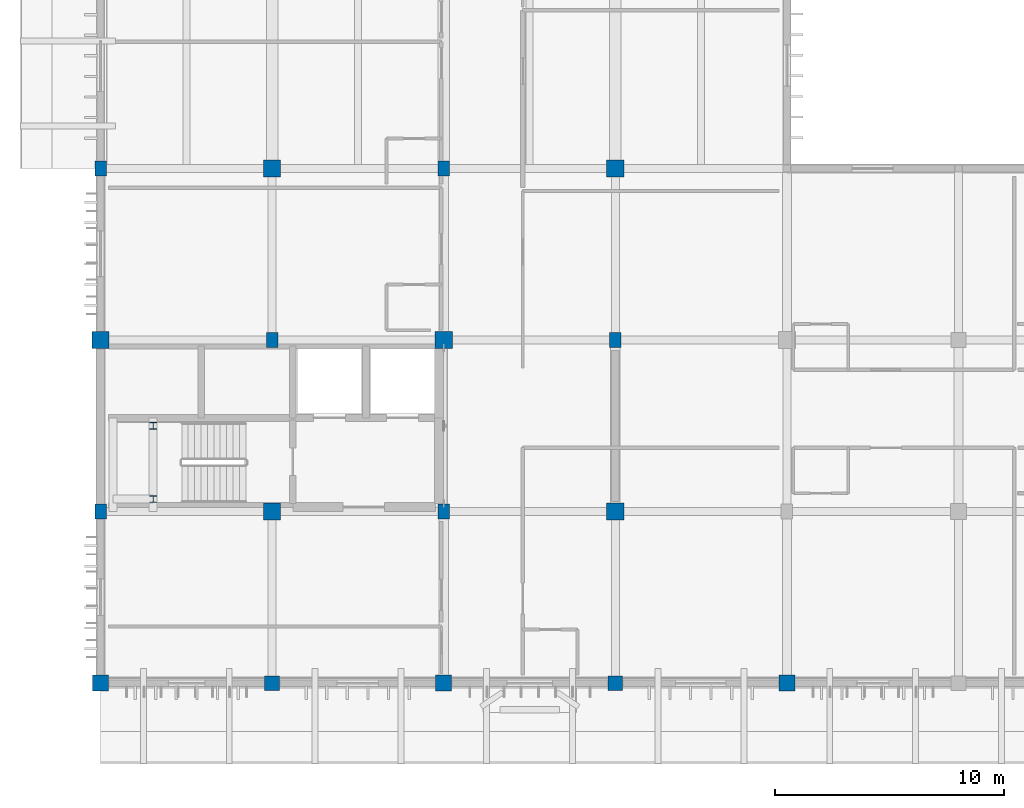
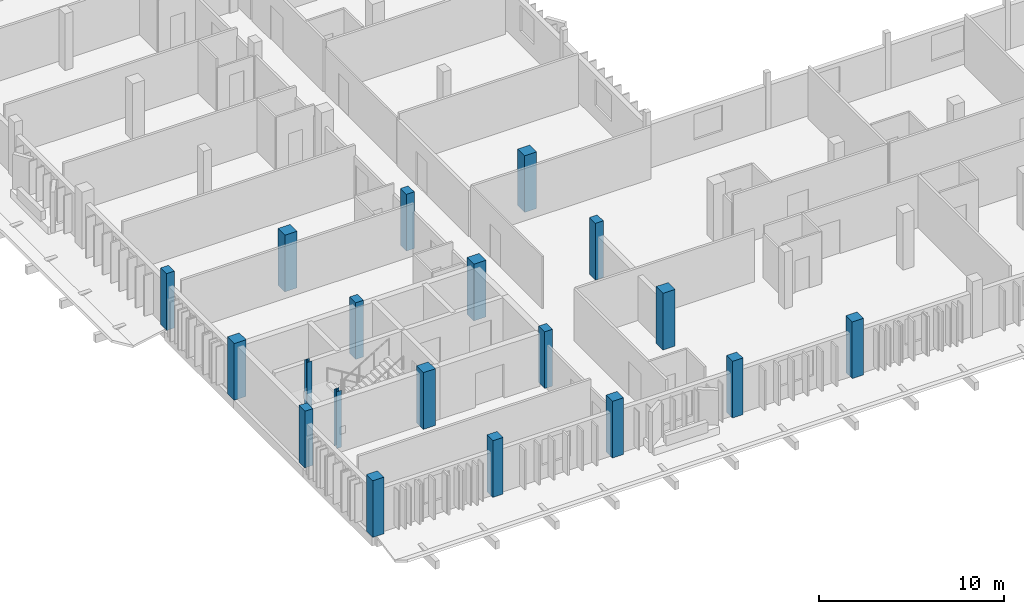
# One storey, part 1 of 43: 19 columns.
"""IFC4 building model written with IfcOpenShell, lengths in metres."""

from ifc_helpers import new_model, si_unit, direction, frame, origin, origin_2d, place, context, subcontext, project, spatial, rectangle, i_section, extrude, material, material_profile, profile_set, type_object, element, save


model = new_model("IFC4")

# Units and contexts
model_context = context("Model", 3, precision=1e-05, world=origin(), true_north=direction((0.0, 1.0)))
body_context = subcontext(model_context, "Body", "Model", "MODEL_VIEW")
ifc_project = project(units=[si_unit("LENGTHUNIT", "METRE"), si_unit("AREAUNIT", "SQUARE_METRE"), si_unit("VOLUMEUNIT", "CUBIC_METRE"), si_unit("PLANEANGLEUNIT", "RADIAN"), si_unit("MASSUNIT", "GRAM", prefix="KILO")], contexts=[model_context])

# Site, building, storey
site_placement = place(None, origin())
site = spatial("IfcSite", under=ifc_project, at=site_placement, CompositionType="ELEMENT")
building_placement = place(site_placement, origin())
building = spatial("IfcBuilding", under=site, at=building_placement, Name="Dalvernix Boulevard General Hospital", CompositionType="ELEMENT")
storey_placement = place(building_placement, frame((0.0, 0.0, 14.10009765625)))
storey = spatial("IfcBuildingStorey", under=building, at=storey_placement, Name="L03", CompositionType="ELEMENT", Elevation=14.10009765625)

# Columns
ifc_material_1 = material(Name="Concrete C40/50", Category="concrete")
ifc_material_profile_1 = material_profile(ifc_material_1, rectangle(XDim=0.75, YDim=0.75, at=origin_2d()), Name="RC 750x750")
ifc_profile_set_1 = profile_set([ifc_material_profile_1], Name="Concrete C40/50")
column_type_1 = type_object("IfcColumnType", Name="COL-C-04-E", PredefinedType="COLUMN", material=ifc_profile_set_1)
column_placement = place(storey_placement, frame((0.0, 15.0, 0.0), z_axis=(0.0, 0.0, 1.0), x_axis=(1.0, 0.0, 0.0)))
element("IfcColumn", 1, at=column_placement, inside=storey, type_object=column_type_1, Name="L03 column 1C", PredefinedType="COLUMN", context=body_context, shape_type="SweptSolid", body=[
    extrude(rectangle(XDim=0.75, YDim=0.75, at=origin_2d()), origin(), (0.0, 0.0, 1.0), 3.75),
])
ifc_material_profile_2 = material_profile(ifc_material_1, rectangle(XDim=0.75, YDim=0.75, at=origin_2d()), Name="RC 750x750")
ifc_profile_set_2 = profile_set([ifc_material_profile_2], Name="Concrete C40/50")
column_type_2 = type_object("IfcColumnType", Name="COL-C-04-I", PredefinedType="COLUMN", material=ifc_profile_set_2)
for number, where, z_axis, x_axis, name in (
    (2, (7.5, 7.5, 0.0), (0.0, 0.0, 1.0), (1.0, 0.0, 0.0), "L03 column 2B"),
    (3, (7.5, 22.5, 0.0), (0.0, 0.0, 1.0), (1.0, 0.0, 0.0), "L03 column 2D"),
    (4, (15.0, 15.0, 0.0), (0.0, 0.0, 1.0), (1.0, 0.0, 0.0), "L03 column 3C"),
    (5, (22.5, 7.5, 0.0), (0.0, 0.0, 1.0), (1.0, 0.0, 0.0), "L03 column 4B"),
    (6, (22.5, 22.5, 0.0), (0.0, 0.0, 1.0), (1.0, 0.0, 0.0), "L03 column 4D"),
):
    element("IfcColumn", number, at=place(storey_placement, frame(where, z_axis=z_axis, x_axis=x_axis)), inside=storey, type_object=column_type_2, Name=name, PredefinedType="COLUMN", context=body_context, shape_type="SweptSolid", body=[
        extrude(rectangle(XDim=0.75, YDim=0.75, at=origin_2d()), origin(), (0.0, 0.0, 1.0), 3.75),
    ])
ifc_material_profile_3 = material_profile(ifc_material_1, rectangle(XDim=0.699951171875, YDim=0.699951171875, at=origin_2d()), Name="RC 700x700")
ifc_profile_set_3 = profile_set([ifc_material_profile_3], Name="Concrete C40/50")
column_type_3 = type_object("IfcColumnType", Name="COL-C-05-E", PredefinedType="COLUMN", material=ifc_profile_set_3)
for number, where, z_axis, x_axis, name in (
    (7, (0.0, 0.0, 0.0), (0.0, 0.0, 1.0), (1.0, 0.0, 0.0), "L03 column 1A"),
    (8, (15.0, 0.0, 0.0), (0.0, 0.0, 1.0), (1.0, 0.0, 0.0), "L03 column 3A"),
    (9, (30.0, 0.0, 0.0), (0.0, 0.0, 1.0), (1.0, 0.0, 0.0), "L03 column 5A"),
):
    element("IfcColumn", number, at=place(storey_placement, frame(where, z_axis=z_axis, x_axis=x_axis)), inside=storey, type_object=column_type_3, Name=name, PredefinedType="COLUMN", context=body_context, shape_type="SweptSolid", body=[
        extrude(rectangle(XDim=0.699951171875, YDim=0.699951171875, at=origin_2d()), origin(), (0.0, 0.0, 1.0), 3.75),
    ])
ifc_material_profile_4 = material_profile(ifc_material_1, rectangle(XDim=0.64990234375, YDim=0.64990234375, at=origin_2d()), Name="RC 650x650")
ifc_profile_set_4 = profile_set([ifc_material_profile_4], Name="Concrete C40/50")
column_type_4 = type_object("IfcColumnType", Name="COL-C-06-E", PredefinedType="COLUMN", material=ifc_profile_set_4)
for number, where, z_axis, x_axis, name in (
    (10, (7.5, 0.0, 0.0), (0.0, 0.0, 1.0), (1.0, 0.0, 0.0), "L03 column 2A"),
    (11, (22.5, 0.0, 0.0), (0.0, 0.0, 1.0), (1.0, 0.0, 0.0), "L03 column 4A"),
):
    element("IfcColumn", number, at=place(storey_placement, frame(where, z_axis=z_axis, x_axis=x_axis)), inside=storey, type_object=column_type_4, Name=name, PredefinedType="COLUMN", context=body_context, shape_type="SweptSolid", body=[
        extrude(rectangle(XDim=0.64990234375, YDim=0.64990234375, at=origin_2d()), origin(), (0.0, 0.0, 1.0), 3.75),
    ])
ifc_material_profile_5 = material_profile(ifc_material_1, rectangle(XDim=0.5, YDim=0.64990234375, at=origin_2d()), Name="RC 500x650")
ifc_profile_set_5 = profile_set([ifc_material_profile_5], Name="Concrete C40/50")
column_type_5 = type_object("IfcColumnType", Name="COL-C-12-E", PredefinedType="COLUMN", material=ifc_profile_set_5)
for number, where, z_axis, x_axis, name in (
    (12, (0.0, 7.5, 0.0), (0.0, 0.0, 1.0), (1.0, 0.0, 0.0), "L03 column 1B"),
    (13, (0.0, 22.5, 0.0), (0.0, 0.0, 1.0), (1.0, 0.0, 0.0), "L03 column 1D"),
):
    element("IfcColumn", number, at=place(storey_placement, frame(where, z_axis=z_axis, x_axis=x_axis)), inside=storey, type_object=column_type_5, Name=name, PredefinedType="COLUMN", context=body_context, shape_type="SweptSolid", body=[
        extrude(rectangle(XDim=0.5, YDim=0.64990234375, at=origin_2d()), origin(), (0.0, 0.0, 1.0), 3.75),
    ])
ifc_material_profile_6 = material_profile(ifc_material_1, rectangle(XDim=0.5, YDim=0.64990234375, at=origin_2d()), Name="RC 500x650")
ifc_profile_set_6 = profile_set([ifc_material_profile_6], Name="Concrete C40/50")
column_type_6 = type_object("IfcColumnType", Name="COL-C-12-I", PredefinedType="COLUMN", material=ifc_profile_set_6)
for number, where, z_axis, x_axis, name in (
    (14, (7.5, 15.0, 0.0), (0.0, 0.0, 1.0), (1.0, 0.0, 0.0), "L03 column 2C"),
    (15, (15.0, 7.5, 0.0), (0.0, 0.0, 1.0), (1.0, 0.0, 0.0), "L03 column 3B"),
    (16, (15.0, 22.5, 0.0), (0.0, 0.0, 1.0), (1.0, 0.0, 0.0), "L03 column 3D"),
    (17, (22.5, 15.0, 0.0), (0.0, 0.0, 1.0), (1.0, 0.0, 0.0), "L03 column 4C"),
):
    element("IfcColumn", number, at=place(storey_placement, frame(where, z_axis=z_axis, x_axis=x_axis)), inside=storey, type_object=column_type_6, Name=name, PredefinedType="COLUMN", context=body_context, shape_type="SweptSolid", body=[
        extrude(rectangle(XDim=0.5, YDim=0.64990234375, at=origin_2d()), origin(), (0.0, 0.0, 1.0), 3.75),
    ])
ifc_material_2 = material(Name="Steel S355", Category="steel")
ifc_material_profile_7 = material_profile(ifc_material_2, i_section(OverallWidth=0.300048828125, OverallDepth=0.300048828125, WebThickness=0.010986328125, FlangeThickness=0.01904296875, FilletRadius=0.027099609375, at=origin_2d()), Name="HEB 300")
ifc_profile_set_7 = profile_set([ifc_material_profile_7], Name="Steel S355")
column_type_7 = type_object("IfcColumnType", Name="COL-C-18", PredefinedType="COLUMN", material=ifc_profile_set_7)
for number, where, z_axis, x_axis, name in (
    (18, (2.300048828125, 8.050048828125, 0.0), (0.0, 0.0, 1.0), (1.0, 0.0, 0.0), "L03 Core C1 stair landing column 1"),
    (19, (2.300048828125, 11.25, 0.0), (0.0, 0.0, 1.0), (1.0, 0.0, 0.0), "L03 Core C1 stair landing column 2"),
):
    element("IfcColumn", number, at=place(storey_placement, frame(where, z_axis=z_axis, x_axis=x_axis)), inside=storey, type_object=column_type_7, Name=name, PredefinedType="COLUMN", context=body_context, shape_type="SweptSolid", body=[
        extrude(i_section(OverallWidth=0.300048828125, OverallDepth=0.300048828125, WebThickness=0.010986328125, FlangeThickness=0.01904296875, FilletRadius=0.027099609375, at=origin_2d()), origin(), (0.0, 0.0, 1.0), 3.75),
    ])

save(model, "model.ifc")
